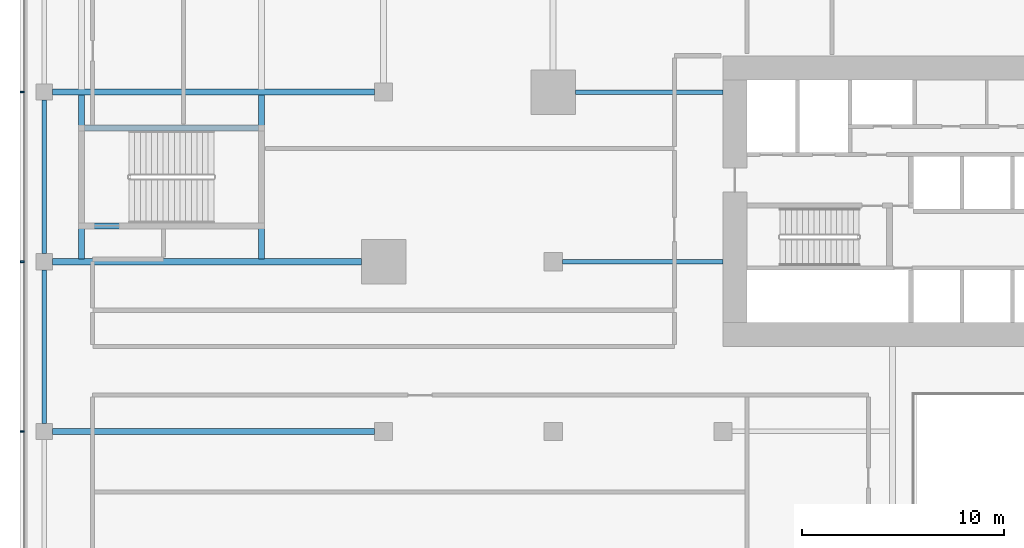
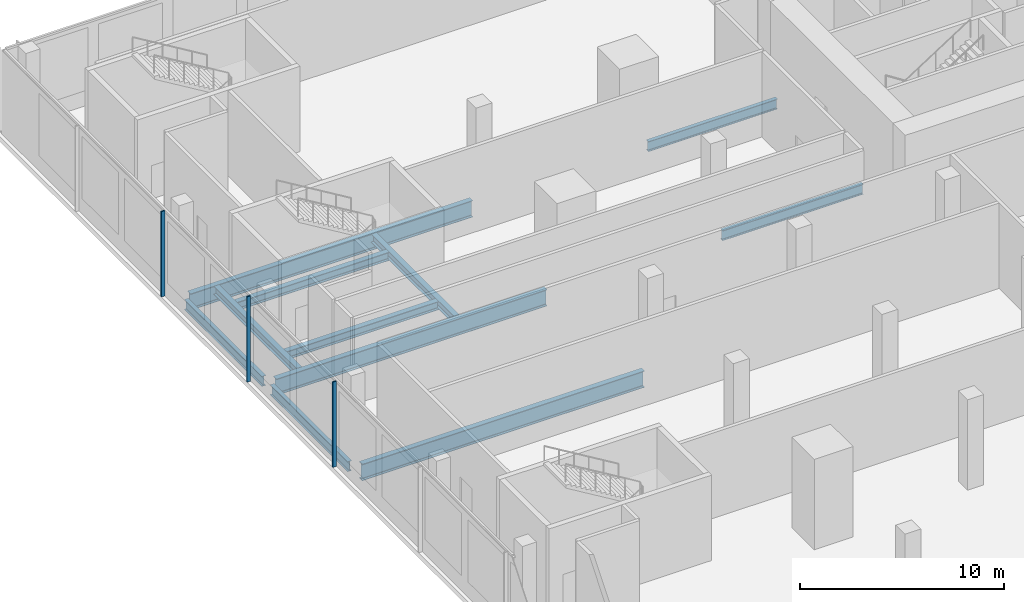
# One storey, part 9 of 39: 11 beams, 3 members, 1 element without a shape of its own.
"""IFC4 building model written with IfcOpenShell, lengths in metres."""

from ifc_helpers import new_model, si_unit, direction, frame, origin, origin_2d, place, context, subcontext, project, spatial, rectangle, i_section, extrude, material, material_profile, profile_set, type_object, element, aggregate, save


model = new_model("IFC4")

# Units and contexts
model_context = context("Model", 3, precision=1e-05, world=origin(), true_north=direction((0.0, 1.0)))
body_context = subcontext(model_context, "Body", "Model", "MODEL_VIEW")
ifc_project = project(units=[si_unit("LENGTHUNIT", "METRE"), si_unit("AREAUNIT", "SQUARE_METRE"), si_unit("VOLUMEUNIT", "CUBIC_METRE"), si_unit("PLANEANGLEUNIT", "RADIAN"), si_unit("MASSUNIT", "GRAM", prefix="KILO")], contexts=[model_context])

# Site, building, storey
site_placement = place(None, origin())
site = spatial("IfcSite", under=ifc_project, at=site_placement, CompositionType="ELEMENT")
building_placement = place(site_placement, origin())
building = spatial("IfcBuilding", under=site, at=building_placement, Name="Saffron Gate Tower", CompositionType="ELEMENT")
storey_placement = place(building_placement, frame((0.0, 0.0, 9.0)))
storey = spatial("IfcBuildingStorey", under=building, at=storey_placement, Name="L01", CompositionType="ELEMENT", Elevation=9.0)

# Beams
ifc_material_1 = material(Name="Structural steel S355", Category="steel")
ifc_material_profile_1 = material_profile(ifc_material_1, i_section(OverallWidth=0.219970703125, OverallDepth=0.60009765625, WebThickness=0.011962890625, FlangeThickness=0.01904296875, FilletRadius=0.02392578125, at=origin_2d()))
ifc_profile_set_1 = profile_set([ifc_material_profile_1], Name="Structural steel S355")
beam_type_1 = type_object("IfcBeamType", Name="B15 IPE 600", PredefinedType="BEAM", material=ifc_profile_set_1)
beam_1_placement = place(storey_placement, frame((58.64990234375, 65.39990234375, -0.60009765625), z_axis=(1.0, 0.0, 0.0), x_axis=(0.0, 1.0, 0.0)))
element("IfcBeam", 1, at=beam_1_placement, inside=storey, type_object=beam_type_1, Name="B15 CORE TIE BEAM", PredefinedType="BEAM", context=body_context, shape_type="SweptSolid", body=[
    extrude(i_section(OverallWidth=0.219970703125, OverallDepth=0.60009765625, WebThickness=0.011962890625, FlangeThickness=0.01904296875, FilletRadius=0.02392578125, at=origin_2d()), origin(), (0.0, 0.0, 1.0), 7.9501953125),
])
beam_2_placement = place(storey_placement, frame((59.300048828125, 73.800048828125, -0.60009765625), z_axis=(1.0, 0.0, 0.0), x_axis=(0.0, 1.0, 0.0)))
element("IfcBeam", 2, at=beam_2_placement, inside=storey, type_object=beam_type_1, Name="B15 CORE TIE BEAM", PredefinedType="BEAM", context=body_context, shape_type="SweptSolid", body=[
    extrude(i_section(OverallWidth=0.219970703125, OverallDepth=0.60009765625, WebThickness=0.011962890625, FlangeThickness=0.01904296875, FilletRadius=0.02392578125, at=origin_2d()), origin(), (0.0, 0.0, 1.0), 7.300048828125),
])
beam_3_placement = place(storey_placement, frame((33.0, 57.39990234375, -0.60009765625), z_axis=(0.0, 1.0, 0.0), x_axis=(-1.0, 0.0, 0.0)))
element("IfcBeam", 3, at=beam_3_placement, inside=storey, type_object=beam_type_1, Name="B15 PODIUM EDGE BEAM", PredefinedType="BEAM", context=body_context, shape_type="SweptSolid", body=[
    extrude(i_section(OverallWidth=0.219970703125, OverallDepth=0.60009765625, WebThickness=0.011962890625, FlangeThickness=0.01904296875, FilletRadius=0.02392578125, at=origin_2d()), origin(), (0.0, 0.0, 1.0), 7.60009765625),
])
beam_4_placement = place(storey_placement, frame((33.0, 65.800048828125, -0.60009765625), z_axis=(0.0, 1.0, 0.0), x_axis=(-1.0, 0.0, 0.0)))
element("IfcBeam", 4, at=beam_4_placement, inside=storey, type_object=beam_type_1, Name="B15 PODIUM EDGE BEAM", PredefinedType="BEAM", context=body_context, shape_type="SweptSolid", body=[
    extrude(i_section(OverallWidth=0.219970703125, OverallDepth=0.60009765625, WebThickness=0.011962890625, FlangeThickness=0.01904296875, FilletRadius=0.02392578125, at=origin_2d()), origin(), (0.0, 0.0, 1.0), 7.599853515625),
])
ifc_material_profile_2 = material_profile(ifc_material_1, i_section(OverallWidth=0.300048828125, OverallDepth=0.989990234375, WebThickness=0.0166015625, FlangeThickness=0.031005859375, FilletRadius=0.030029296875, at=origin_2d()))
ifc_profile_set_2 = profile_set([ifc_material_profile_2], Name="Structural steel S355")
beam_type_2 = type_object("IfcBeamType", Name="B21 HEA 1000", PredefinedType="BEAM", material=ifc_profile_set_2)
beam_5_placement = place(storey_placement, frame((33.39990234375, 57.0, -0.794921875), z_axis=(1.0, 0.0, 0.0), x_axis=(0.0, 1.0, 0.0)))
element("IfcBeam", 5, at=beam_5_placement, inside=storey, type_object=beam_type_2, Name="B21 PODIUM RING GIRDER", PredefinedType="BEAM", context=body_context, shape_type="SweptSolid", body=[
    extrude(i_section(OverallWidth=0.300048828125, OverallDepth=0.989990234375, WebThickness=0.0166015625, FlangeThickness=0.031005859375, FilletRadius=0.030029296875, at=origin_2d()), origin(), (0.0, 0.0, 1.0), 15.9501953125),
])
beam_6_placement = place(storey_placement, frame((33.39990234375, 65.39990234375, -0.794921875), z_axis=(1.0, 0.0, 0.0), x_axis=(0.0, 1.0, 0.0)))
element("IfcBeam", 6, at=beam_6_placement, inside=storey, type_object=beam_type_2, Name="B21 PODIUM RING GIRDER", PredefinedType="BEAM", context=body_context, shape_type="SweptSolid", body=[
    extrude(i_section(OverallWidth=0.300048828125, OverallDepth=0.989990234375, WebThickness=0.0166015625, FlangeThickness=0.031005859375, FilletRadius=0.030029296875, at=origin_2d()), origin(), (0.0, 0.0, 1.0), 15.300048828125),
])
beam_7_placement = place(storey_placement, frame((33.39990234375, 73.800048828125, -0.794921875), z_axis=(1.0, 0.0, 0.0), x_axis=(0.0, 1.0, 0.0)))
element("IfcBeam", 7, at=beam_7_placement, inside=storey, type_object=beam_type_2, Name="B21 PODIUM RING GIRDER", PredefinedType="BEAM", context=body_context, shape_type="SweptSolid", body=[
    extrude(i_section(OverallWidth=0.300048828125, OverallDepth=0.989990234375, WebThickness=0.0166015625, FlangeThickness=0.031005859375, FilletRadius=0.030029296875, at=origin_2d()), origin(), (0.0, 0.0, 1.0), 15.9501953125),
])
ifc_material_profile_3 = material_profile(ifc_material_1, i_section(OverallWidth=0.300048828125, OverallDepth=0.5, WebThickness=0.014404296875, FlangeThickness=0.028076171875, FilletRadius=0.027099609375, at=origin_2d()))
ifc_profile_set_3 = profile_set([ifc_material_profile_3], Name="Structural steel S355")
beam_type_3 = type_object("IfcBeamType", Name="B9 HEB 500", PredefinedType="BEAM", material=ifc_profile_set_3)
for number, where, z_axis, x_axis, name in (
    (8, (34.85009765625, 65.5400390625, -0.550048828125), (0.0, 1.0, 0.0), (-1.0, 0.0, 0.0), "B9 STAIR ENCLOSURE HEADER BEAM"),
    (9, (43.75, 65.5400390625, -0.550048828125), (0.0, 1.0, 0.0), (-1.0, 0.0, 0.0), "B9 STAIR ENCLOSURE HEADER BEAM"),
):
    element("IfcBeam", number, at=place(storey_placement, frame(where, z_axis=z_axis, x_axis=x_axis)), inside=storey, type_object=beam_type_3, Name=name, PredefinedType="BEAM", context=body_context, shape_type="SweptSolid", body=[
        extrude(i_section(OverallWidth=0.300048828125, OverallDepth=0.5, WebThickness=0.014404296875, FlangeThickness=0.028076171875, FilletRadius=0.027099609375, at=origin_2d()), origin(), (0.0, 0.0, 1.0), 8.119873046875),
    ])
for number, where, z_axis, x_axis, name in (
    (10, (34.989990234375, 67.175048828125, -0.550048828125), (1.0, 0.0, 0.0), (0.0, 1.0, 0.0), "B9 STAIR ENCLOSURE TRIMMER BEAM"),
    (11, (34.989990234375, 72.02490234375, -0.550048828125), (1.0, 0.0, 0.0), (0.0, 1.0, 0.0), "B9 STAIR ENCLOSURE TRIMMER BEAM"),
):
    element("IfcBeam", number, at=place(storey_placement, frame(where, z_axis=z_axis, x_axis=x_axis)), inside=storey, type_object=beam_type_3, Name=name, PredefinedType="BEAM", context=body_context, shape_type="SweptSolid", body=[
        extrude(i_section(OverallWidth=0.300048828125, OverallDepth=0.5, WebThickness=0.014404296875, FlangeThickness=0.028076171875, FilletRadius=0.027099609375, at=origin_2d()), origin(), (0.0, 0.0, 1.0), 8.6201171875),
    ])

# Curtain wall, members
ifc_material_2 = material(Name="Aluminium, bronze anodised", Category="aluminium")
curtain_wall_type = type_object("IfcCurtainWallType", Name="CWS5 curtain wall podium ring base", PredefinedType="NOTDEFINED", material=ifc_material_2)
curtain_wall_placement = place(storey_placement, origin())
curtain_wall = element("IfcCurtainWall", 12, at=curtain_wall_placement, inside=storey, type_object=curtain_wall_type, Name="CWS5 run 4", PredefinedType="NOTDEFINED")
ifc_material_profile_4 = material_profile(ifc_material_2, rectangle(XDim=0.199951171875, YDim=0.080078125, at=origin_2d()))
ifc_profile_set_4 = profile_set([ifc_material_profile_4], Name="Aluminium, bronze anodised")
member_type = type_object("IfcMemberType", Name="CWS5 mullion 80x200", PredefinedType="MULLION", material=ifc_profile_set_4)
member_1_placement = place(storey_placement, frame((31.89990234375, 73.800048828125, 0.0), z_axis=(0.0, 0.0, 1.0), x_axis=(1.0, 0.0, 0.0)))
member_1 = element("IfcMember", 13, at=member_1_placement, type_object=member_type, Name="CWS5 mullion 3", PredefinedType="MULLION", context=body_context, shape_type="SweptSolid", body=[
    extrude(rectangle(XDim=0.199951171875, YDim=0.080078125, at=origin_2d()), origin(), (0.0, 0.0, 1.0), 5.10009765625),
])
member_2_placement = place(storey_placement, frame((31.89990234375, 65.39990234375, 0.0), z_axis=(0.0, 0.0, 1.0), x_axis=(1.0, 0.0, 0.0)))
member_2 = element("IfcMember", 14, at=member_2_placement, type_object=member_type, Name="CWS5 mullion 4", PredefinedType="MULLION", context=body_context, shape_type="SweptSolid", body=[
    extrude(rectangle(XDim=0.199951171875, YDim=0.080078125, at=origin_2d()), origin(), (0.0, 0.0, 1.0), 5.10009765625),
])
member_3_placement = place(storey_placement, frame((31.89990234375, 57.0, 0.0), z_axis=(0.0, 0.0, 1.0), x_axis=(1.0, 0.0, 0.0)))
member_3 = element("IfcMember", 15, at=member_3_placement, type_object=member_type, Name="CWS5 mullion 5", PredefinedType="MULLION", context=body_context, shape_type="SweptSolid", body=[
    extrude(rectangle(XDim=0.199951171875, YDim=0.080078125, at=origin_2d()), origin(), (0.0, 0.0, 1.0), 5.10009765625),
])
aggregate(curtain_wall, [member_1, member_2, member_3])

save(model, "model.ifc")
